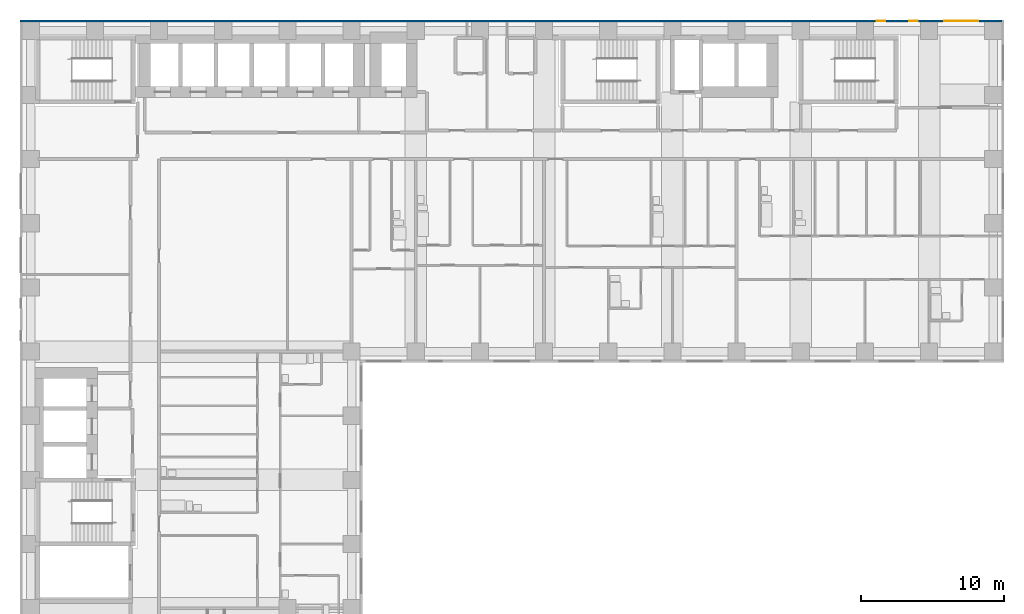
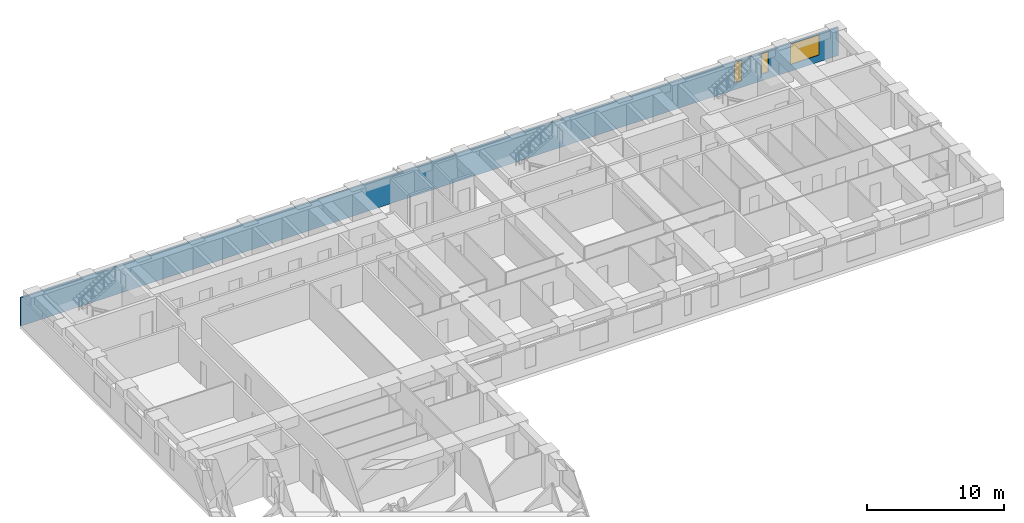
# One storey, part 9 of 13: 3 windows, 1 wall, 3 openings.
"""IFC4 building model written with IfcOpenShell, lengths in metres."""

from ifc_helpers import new_model, si_unit, direction, frame, frame_2d, origin, place, context, subcontext, project, spatial, rectangle, extrude, material, layer, layer_set, type_object, element, fill, save


model = new_model("IFC4")

# Units and contexts
model_context = context("Model", 3, precision=1e-05, world=origin(), true_north=direction((0.0, 1.0)))
body_context = subcontext(model_context, "Body", "Model", "MODEL_VIEW")
ifc_project = project(units=[si_unit("LENGTHUNIT", "METRE"), si_unit("AREAUNIT", "SQUARE_METRE"), si_unit("VOLUMEUNIT", "CUBIC_METRE"), si_unit("PLANEANGLEUNIT", "RADIAN"), si_unit("MASSUNIT", "GRAM", prefix="KILO")], contexts=[model_context])

# Site, building, storey
site_placement = place(None, origin())
site = spatial("IfcSite", under=ifc_project, at=site_placement, CompositionType="ELEMENT")
building_placement = place(site_placement, origin())
building = spatial("IfcBuilding", under=site, at=building_placement, Name="Firuza Court", CompositionType="ELEMENT")
storey_placement = place(building_placement, frame((0.0, 0.0, 104.60009765625)))
storey = spatial("IfcBuildingStorey", under=building, at=storey_placement, Name="L26", CompositionType="ELEMENT", Elevation=104.60009765625)

# Wall, openings, windows
ifc_material_1 = material(Name="Ceramic tile", Category="ceramic")
ifc_layer_1 = layer(ifc_material_1, 0.02001953125)
ifc_material_2 = material(Name="Mineral wool insulation", Category="insulation")
ifc_layer_2 = layer(ifc_material_2, 0.050048828125)
ifc_material_3 = material(Name="Concrete C40/50 precast", Category="concrete")
ifc_layer_3 = layer(ifc_material_3, 0.080078125)
ifc_layer_set = layer_set([ifc_layer_1, ifc_layer_2, ifc_layer_3], Name="Concrete C40/50 precast")
wall_type = type_object("IfcWallType", Name="Precast cladding wall with turquoise TILE PANEL face 150", PredefinedType="STANDARD", material=ifc_layer_set)
wall_placement = place(storey_placement, frame((68.10009765625, 59.175048828125, 0.0), z_axis=(0.0, 0.0, 1.0), x_axis=(-1.0, 0.0, 0.0)))
wall = element("IfcWall", 1, at=wall_placement, inside=storey, type_object=wall_type, Name="Facade wall L26 N", PredefinedType="STANDARD", context=body_context, shape_type="SweptSolid", body=[
    extrude(rectangle(XDim=68.85009765625, YDim=0.14990234375, at=frame_2d((34.425048828125, 0.0))), origin(), (0.0, 0.0, 1.0), 2.5),
])
opening_1_placement = place(wall_placement, frame((1.64990234375, 0.0, 0.60009765625)))
opening_1 = element("IfcOpeningElement", 2, at=opening_1_placement, cuts=wall, Name="Opening W1", PredefinedType="OPENING", context=body_context, shape_type="SweptSolid", body=[
    extrude(rectangle(XDim=2.39990234375, YDim=1.800048828125, at=frame_2d((1.199951171875, 0.89990234375))), frame((0.0, 0.0869140625, 0.0), z_axis=(0.0, -1.0, 0.0), x_axis=(1.0, 0.0, 0.0)), (0.0, 0.0, 1.0), 0.173828125),
])
opening_2_placement = place(wall_placement, frame((5.908203125, 0.0, 0.60009765625)))
opening_2 = element("IfcOpeningElement", 3, at=opening_2_placement, cuts=wall, Name="Opening W4", PredefinedType="OPENING", context=body_context, shape_type="SweptSolid", body=[
    extrude(rectangle(XDim=0.60009765625, YDim=1.800048828125, at=frame_2d((0.300048828125, 0.89990234375))), frame((0.0, 0.0869140625, 0.0), z_axis=(0.0, -1.0, 0.0), x_axis=(1.0, 0.0, 0.0)), (0.0, 0.0, 1.0), 0.173828125),
])
opening_3_placement = place(wall_placement, frame((8.165771484375, 0.0, 0.60009765625)))
opening_3 = element("IfcOpeningElement", 4, at=opening_3_placement, cuts=wall, Name="Opening W4", PredefinedType="OPENING", context=body_context, shape_type="SweptSolid", body=[
    extrude(rectangle(XDim=0.60009765625, YDim=1.800048828125, at=frame_2d((0.300048828125, 0.89990234375))), frame((0.0, 0.0869140625, 0.0), z_axis=(0.0, -1.0, 0.0), x_axis=(1.0, 0.0, 0.0)), (0.0, 0.0, 1.0), 0.173828125),
])
ifc_material_4 = material(Name="Aluminium frame, triple clear glazing", Category="aluminium")
window_type_1 = type_object("IfcWindowType", Name="Window W1 2400 x 1800", PartitioningType="SINGLE_PANEL", PredefinedType="WINDOW", material=ifc_material_4)
window_1_placement = place(opening_1_placement, origin())
window_1 = element("IfcWindow", 5, at=window_1_placement, inside=storey, type_object=window_type_1, Name="Window L26", OverallHeight=1.800048828125, OverallWidth=2.39990234375, PartitioningType="SINGLE_PANEL", PredefinedType="WINDOW", context=body_context, shape_type="SweptSolid", body=[
    extrude(rectangle(XDim=2.39990234375, YDim=1.800048828125, at=frame_2d((1.199951171875, 0.89990234375))), frame((0.0, 0.030029296875, 0.0), z_axis=(0.0, -1.0, 0.0), x_axis=(1.0, 0.0, 0.0)), (0.0, 0.0, 1.0), 0.06005859375),
])
fill(opening_1, window_1)
ifc_material_5 = material(Name="Aluminium frame, triple clear glazing", Category="aluminium")
window_type_2 = type_object("IfcWindowType", Name="Window W4 600 x 1800", PartitioningType="SINGLE_PANEL", PredefinedType="WINDOW", material=ifc_material_5)
window_2_placement = place(opening_2_placement, origin())
window_2 = element("IfcWindow", 6, at=window_2_placement, inside=storey, type_object=window_type_2, Name="Window L26", OverallHeight=1.800048828125, OverallWidth=0.60009765625, PartitioningType="SINGLE_PANEL", PredefinedType="WINDOW", context=body_context, shape_type="SweptSolid", body=[
    extrude(rectangle(XDim=0.60009765625, YDim=1.800048828125, at=frame_2d((0.300048828125, 0.89990234375))), frame((0.0, 0.030029296875, 0.0), z_axis=(0.0, -1.0, 0.0), x_axis=(1.0, 0.0, 0.0)), (0.0, 0.0, 1.0), 0.06005859375),
])
fill(opening_2, window_2)
window_3_placement = place(opening_3_placement, origin())
window_3 = element("IfcWindow", 7, at=window_3_placement, inside=storey, type_object=window_type_2, Name="Window L26", OverallHeight=1.800048828125, OverallWidth=0.60009765625, PartitioningType="SINGLE_PANEL", PredefinedType="WINDOW", context=body_context, shape_type="SweptSolid", body=[
    extrude(rectangle(XDim=0.60009765625, YDim=1.800048828125, at=frame_2d((0.300048828125, 0.89990234375))), frame((0.0, 0.030029296875, 0.0), z_axis=(0.0, -1.0, 0.0), x_axis=(1.0, 0.0, 0.0)), (0.0, 0.0, 1.0), 0.06005859375),
])
fill(opening_3, window_3)

save(model, "model.ifc")
